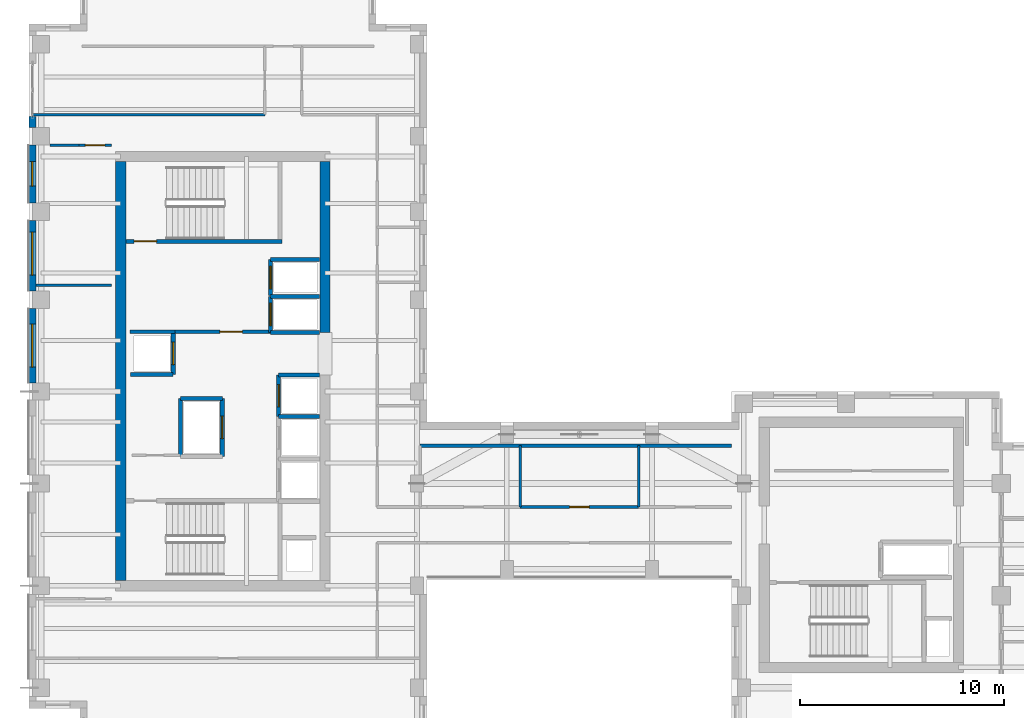
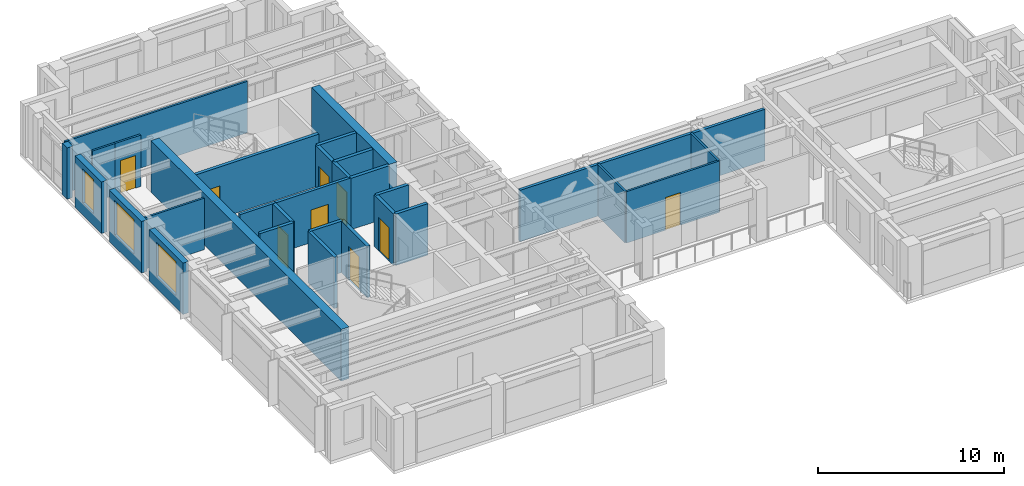
# One storey, part 7 of 13: 30 walls, 9 doors, 3 windows, 12 openings.
"""IFC4 building model written with IfcOpenShell, lengths in metres."""

import ifcopenshell
import ifcopenshell.guid

model = None  # the IFC model being written
_history = None  # IfcOwnerHistory: only IFC2X3 demands one
_inside = {}  # id of a spatial element -> (the spatial element, [elements in it])
_under = {}  # id of a project, library or spatial element -> (it, [spatial elements below it])
_declared = {}  # id of a project -> (the project, [libraries it declares])
_typed = {}  # id of a type object -> (the type object, [elements of that type])
_made_of = {}  # id of a material, layer set ... -> (it, [elements and type objects made of it])


def new_model(schema):
    """Start an empty IFC model of exactly this schema.

    Asked for "IFC4X3", IfcOpenShell would pick the latest addendum, in which some entities
    have other attributes; the version numbers below select the first issue.
    IFC2X3 requires an IfcOwnerHistory on every rooted entity: one is made here for all.
    """
    global model, _history
    if schema == "IFC4X3":
        model = ifcopenshell.file(schema_version=(4, 3, 0, 0))
    else:
        model = ifcopenshell.file(schema=schema)
    _inside.clear()
    _under.clear()
    _declared.clear()
    _typed.clear()
    _made_of.clear()
    _history = None
    if model.schema == "IFC2X3":
        org = make("IfcOrganization", Name="unknown")
        user = make(
            "IfcPersonAndOrganization",
            ThePerson=make("IfcPerson", FamilyName="unknown"),
            TheOrganization=org,
        )
        app = make(
            "IfcApplication",
            ApplicationDeveloper=org,
            Version="unknown",
            ApplicationFullName="unknown",
            ApplicationIdentifier="unknown",
        )
        _history = make(
            "IfcOwnerHistory",
            OwningUser=user,
            OwningApplication=app,
            ChangeAction="ADDED",
            CreationDate=0,
        )
    return model


def make(cls, **values):
    """One entity of the class cls with the attributes given. An attribute that is None is left unset."""
    return model.create_entity(
        cls, **{name: value for name, value in values.items() if value is not None}
    )


def rooted(cls, **values):
    """An entity with a GlobalId (a new one), such as an element, a storey or a relation."""
    return make(cls, GlobalId=ifcopenshell.guid.new(), OwnerHistory=_history, **values)


def si_unit(unit_type, name, prefix=None):
    """IfcSIUnit, for example si_unit("LENGTHUNIT", "METRE", prefix="MILLI")."""
    return make("IfcSIUnit", UnitType=unit_type, Prefix=prefix, Name=name)


def assignment(units):
    """IfcUnitAssignment: the units of a project."""
    return None if units is None else make("IfcUnitAssignment", Units=units)


def point(xyz):
    """IfcCartesianPoint."""
    return None if xyz is None else make("IfcCartesianPoint", Coordinates=xyz)


def direction(xyz):
    """IfcDirection."""
    return None if xyz is None else make("IfcDirection", DirectionRatios=xyz)


def frame(location, z_axis=None, x_axis=None):
    """IfcAxis2Placement3D, a coordinate frame: its origin and axes. An axis left out is left unset."""
    return make(
        "IfcAxis2Placement3D",
        Location=point(location),
        Axis=direction(z_axis),
        RefDirection=direction(x_axis),
    )


def frame_2d(location, x_axis=None):
    """IfcAxis2Placement2D, a coordinate frame in the plane: its origin and x axis."""
    return make(
        "IfcAxis2Placement2D", Location=point(location), RefDirection=direction(x_axis)
    )


def origin():
    """The frame at (0, 0, 0) with its axes left unset."""
    return frame((0.0, 0.0, 0.0))


def place(relative_to, where):
    """IfcLocalPlacement: puts the frame where relative to a parent placement (None: the world)."""
    return make(
        "IfcLocalPlacement", PlacementRelTo=relative_to, RelativePlacement=where
    )


def context(
    kind, dimensions, precision=None, world=None, true_north=None, identifier=None
):
    """IfcGeometricRepresentationContext, for example the 3D "Model" context."""
    return make(
        "IfcGeometricRepresentationContext",
        ContextIdentifier=identifier,
        ContextType=kind,
        CoordinateSpaceDimension=dimensions,
        Precision=precision,
        WorldCoordinateSystem=world,
        TrueNorth=true_north,
    )


def subcontext(parent, identifier, kind, view, scale=None):
    """IfcGeometricRepresentationSubContext, for example "Body" below "Model"."""
    return make(
        "IfcGeometricRepresentationSubContext",
        ContextIdentifier=identifier,
        ContextType=kind,
        ParentContext=parent,
        TargetScale=scale,
        TargetView=view,
    )


def project(units=None, contexts=None):
    """IfcProject with its units and contexts."""
    return rooted(
        "IfcProject",
        Name="project",
        RepresentationContexts=contexts,
        UnitsInContext=assignment(units),
    )


def spatial(cls, under=None, at=None, **own):
    """A site, building, storey or space (cls), placed at a placement, below another one or the project."""
    s = rooted(cls, ObjectPlacement=at, **own)
    if under is not None:
        _under.setdefault(under.id(), (under, []))[1].append(s)
    return s


def profile(cls, at=None, kind="AREA", **sizes):
    """A parametric profile (cls). Its sizes go by their IFC names, for example OverallWidth=200.0."""
    return make(cls, ProfileType=kind, Position=at, **sizes)


def rectangle(**sizes):
    """IfcRectangleProfileDef."""
    return profile("IfcRectangleProfileDef", **sizes)


def extrude(swept, where, along, depth):
    """IfcExtrudedAreaSolid: the profile swept, set in the frame where, extruded along a direction by depth."""
    return make(
        "IfcExtrudedAreaSolid",
        SweptArea=swept,
        Position=where,
        ExtrudedDirection=direction(along),
        Depth=depth,
    )


def shape(context_of_items, identifier, shape_type, items):
    """IfcShapeRepresentation: the items that make up one representation, for example the "Body"."""
    return make(
        "IfcShapeRepresentation",
        ContextOfItems=context_of_items,
        RepresentationIdentifier=identifier,
        RepresentationType=shape_type,
        Items=items,
    )


def source(mapping_origin, context_of_items, identifier, shape_type, items):
    """IfcRepresentationMap: a shape defined once, which mapped items show again and again."""
    return make(
        "IfcRepresentationMap",
        MappingOrigin=mapping_origin,
        MappedRepresentation=shape(context_of_items, identifier, shape_type, items),
    )


def transform(
    local_origin,
    x_axis=None,
    y_axis=None,
    z_axis=None,
    scale=None,
    scale2=None,
    scale3=None,
    uniform=True,
):
    """IfcCartesianTransformationOperator3D, or its non-uniform kind. x_axis, y_axis, z_axis: its Axis1, 2, 3."""
    if uniform:
        return make(
            "IfcCartesianTransformationOperator3D",
            Axis1=direction(x_axis),
            Axis2=direction(y_axis),
            LocalOrigin=point(local_origin),
            Scale=scale,
            Axis3=direction(z_axis),
        )
    return make(
        "IfcCartesianTransformationOperator3DnonUniform",
        Axis1=direction(x_axis),
        Axis2=direction(y_axis),
        LocalOrigin=point(local_origin),
        Scale=scale,
        Axis3=direction(z_axis),
        Scale2=scale2,
        Scale3=scale3,
    )


def mapped(mapping_source, mapping_target):
    """IfcMappedItem: shows the shape of a source again, moved by a transform."""
    return make(
        "IfcMappedItem", MappingSource=mapping_source, MappingTarget=mapping_target
    )


def material(Name=None, Category=None):
    """IfcMaterial."""
    return make("IfcMaterial", Name=Name, Category=Category)


def layer(
    of_material, thickness, ventilated=None, Name=None, Category=None, Priority=None
):
    """IfcMaterialLayer: one layer of a wall or slab, of a material (None: an air gap)."""
    return make(
        "IfcMaterialLayer",
        Material=of_material,
        LayerThickness=thickness,
        IsVentilated=ventilated,
        Name=Name,
        Category=Category,
        Priority=Priority,
    )


def layer_set(layers, Name=None):
    """IfcMaterialLayerSet."""
    return make("IfcMaterialLayerSet", MaterialLayers=layers, LayerSetName=Name)


def made_of(thing, what):
    """Note that an element or type object is made of a material, layer set ...; save() writes the relation."""
    if what is not None:
        _made_of.setdefault(what.id(), (what, []))[1].append(thing)
    return thing


def type_object(cls, material=None, **own):
    """A type object (cls), such as IfcWallType, which elements share."""
    return made_of(rooted(cls, **own), material)


def element(
    cls,
    number,
    at=None,
    inside=None,
    cuts=None,
    type_object=None,
    material=None,
    context=None,
    identifier="Body",
    shape_type=None,
    held_by="IfcProductDefinitionShape",
    body=None,
    shapes=None,
    **own,
):
    """One element of the class cls, such as IfcWall. Its Tag is "e" and its number.

    at: its placement. inside: the storey or other place that contains it. cuts: it is an
    opening in that element (IfcRelVoidsElement). A single representation is given by context,
    identifier, shape_type and body (its items); several are given by shapes. held_by: the class
    of the entity that holds the representations. save() writes the other relations.
    """
    e = rooted(cls, Tag="e%d" % number, ObjectPlacement=at, **own)
    if body is not None:
        shapes = [shape(context, identifier, shape_type, body)]
    if shapes is not None:
        e.Representation = make(held_by, Representations=shapes)
    if inside is not None:
        _inside.setdefault(inside.id(), (inside, []))[1].append(e)
    if cuts is not None:
        rooted(
            "IfcRelVoidsElement", RelatingBuildingElement=cuts, RelatedOpeningElement=e
        )
    if type_object is not None:
        _typed.setdefault(type_object.id(), (type_object, []))[1].append(e)
    return made_of(e, material)


def fill(opening, filler):
    """IfcRelFillsElement: the door or window that sits in an opening."""
    return rooted(
        "IfcRelFillsElement",
        RelatingOpeningElement=opening,
        RelatedBuildingElement=filler,
    )


def aggregate(whole, parts):
    """IfcRelAggregates: a whole, such as a stair, and the parts it consists of."""
    return rooted("IfcRelAggregates", RelatingObject=whole, RelatedObjects=parts)


def save(model, path):
    """Write the relations noted so far, then the file.

    IfcRelAggregates (storeys below a building ...), IfcRelContainedInSpatialStructure (elements
    in a storey), IfcRelDefinesByType, IfcRelAssociatesMaterial and IfcRelDeclares: one each for
    every whole, place, type object, material and project.
    """
    for whole, parts in _under.values():
        aggregate(whole, parts)
    for where, things in _inside.values():
        rooted(
            "IfcRelContainedInSpatialStructure",
            RelatedElements=things,
            RelatingStructure=where,
        )
    for kind, things in _typed.values():
        rooted("IfcRelDefinesByType", RelatedObjects=things, RelatingType=kind)
    for what, things in _made_of.values():
        rooted("IfcRelAssociatesMaterial", RelatedObjects=things, RelatingMaterial=what)
    for by, libraries in _declared.values():
        rooted("IfcRelDeclares", RelatingContext=by, RelatedDefinitions=libraries)
    model.write(path)


model = new_model("IFC4")

# Units and contexts
model_context = context("Model", 3, precision=1e-05, world=origin(), true_north=direction((0.0, 1.0)))
body_context = subcontext(model_context, "Body", "Model", "MODEL_VIEW")
ifc_project = project(units=[si_unit("LENGTHUNIT", "METRE"), si_unit("AREAUNIT", "SQUARE_METRE"), si_unit("VOLUMEUNIT", "CUBIC_METRE"), si_unit("PLANEANGLEUNIT", "RADIAN"), si_unit("MASSUNIT", "GRAM", prefix="KILO")], contexts=[model_context])

# Site, building, storey
site_placement = place(None, origin())
site = spatial("IfcSite", under=ifc_project, at=site_placement, CompositionType="ELEMENT")
building_placement = place(site_placement, origin())
building = spatial("IfcBuilding", under=site, at=building_placement, Name="Kharzan Plaza Tower", CompositionType="ELEMENT")
storey_placement = place(building_placement, frame((0.0, 0.0, 244.800048828125)))
storey = spatial("IfcBuildingStorey", under=building, at=storey_placement, Name="L66", CompositionType="ELEMENT", Elevation=244.800048828125)

# Wall, opening, window
ifc_material_1 = material(Name="Concrete C40/50", Category="concrete")
ifc_layer_1 = layer(ifc_material_1, 0.35009765625)
ifc_layer_set_1 = layer_set([ifc_layer_1], Name="Concrete C40/50")
wall_type_1 = type_object("IfcWallType", Name="WL-EXT-MAS-Z4", PredefinedType="SOLIDWALL", material=ifc_layer_set_1)
wall_1_placement = place(storey_placement, frame((0.175048828125, 30.076904296875, 0.0), z_axis=(0.0, 0.0, 1.0), x_axis=(0.0, -1.0, 0.0)))
wall_1 = element("IfcWall", 1, at=wall_1_placement, inside=storey, type_object=wall_type_1, Name="L66 Masonry-Frame Exterior Wall 18", PredefinedType="SOLIDWALL", context=body_context, shape_type="SweptSolid", body=[
    extrude(rectangle(XDim=2.85400390625, YDim=0.35009765625, at=frame_2d((1.427001953125, 0.0))), origin(), (0.0, 0.0, 1.0), 3.385009765625),
])
opening_1_placement = place(wall_1_placement, frame((0.826904296875, 0.0, 0.780029296875)))
opening_1 = element("IfcOpeningElement", 2, at=opening_1_placement, cuts=wall_1, Name="Opening W3", PredefinedType="OPENING", context=body_context, shape_type="SweptSolid", body=[
    extrude(rectangle(XDim=1.199951171875, YDim=2.25, at=frame_2d((0.60009765625, 1.125))), frame((0.0, 0.18505859375, 0.0), z_axis=(0.0, -1.0, 0.0), x_axis=(1.0, 0.0, 0.0)), (0.0, 0.0, 1.0), 0.3701171875),
])
ifc_material_2 = material(Name="Low-E Double Glazing", Category="glass")
window_type_1 = type_object("IfcWindowType", Name="WN-REC-1200x2100", PartitioningType="SINGLE_PANEL", PredefinedType="WINDOW", material=ifc_material_2)
shared_shape_1 = source(origin(), body_context, "Body", "SweptSolid", [
    extrude(rectangle(XDim=1.199951171875, YDim=2.25, at=frame_2d((0.60009765625, 1.125))), frame((0.0, 0.030029296875, 0.0), z_axis=(0.0, -1.0, 0.0), x_axis=(1.0, 0.0, 0.0)), (0.0, 0.0, 1.0), 0.06005859375),
])
window_1_placement = place(opening_1_placement, origin())
window_1 = element("IfcWindow", 3, at=window_1_placement, inside=storey, type_object=window_type_1, Name="L66 Recessed Solar-Control Window 18-1", OverallHeight=2.25, OverallWidth=1.199951171875, PartitioningType="SINGLE_PANEL", PredefinedType="WINDOW", context=body_context, shape_type="MappedRepresentation", body=[
    mapped(shared_shape_1, transform((0.0, 0.0, 0.0), x_axis=(1.0, 0.0, 0.0), y_axis=(0.0, 1.0, 0.0), z_axis=(0.0, 0.0, 1.0))),
])
fill(opening_1, window_1)

wall_2_placement = place(storey_placement, frame((0.175048828125, 26.376953125, 0.0), z_axis=(0.0, 0.0, 1.0), x_axis=(0.0, -1.0, 0.0)))
wall_2 = element("IfcWall", 4, at=wall_2_placement, inside=storey, type_object=wall_type_1, Name="L66 Masonry-Frame Exterior Wall 19", PredefinedType="SOLIDWALL", context=body_context, shape_type="SweptSolid", body=[
    extrude(rectangle(XDim=3.453857421875, YDim=0.35009765625, at=frame_2d((1.72705078125, 0.0))), origin(), (0.0, 0.0, 1.0), 3.385009765625),
])
opening_2_placement = place(wall_2_placement, frame((0.573486328125, 0.0, 0.780029296875)))
opening_2 = element("IfcOpeningElement", 5, at=opening_2_placement, cuts=wall_2, Name="Opening W6", PredefinedType="OPENING", context=body_context, shape_type="SweptSolid", body=[
    extrude(rectangle(XDim=2.10009765625, YDim=2.25, at=frame_2d((1.050048828125, 1.125))), frame((0.0, 0.18505859375, 0.0), z_axis=(0.0, -1.0, 0.0), x_axis=(1.0, 0.0, 0.0)), (0.0, 0.0, 1.0), 0.3701171875),
])
window_type_2 = type_object("IfcWindowType", Name="WN-EXEC-2100x2250", PartitioningType="SINGLE_PANEL", PredefinedType="WINDOW", material=ifc_material_2)
shared_shape_2 = source(origin(), body_context, "Body", "SweptSolid", [
    extrude(rectangle(XDim=2.10009765625, YDim=2.25, at=frame_2d((1.050048828125, 1.125))), frame((0.0, 0.030029296875, 0.0), z_axis=(0.0, -1.0, 0.0), x_axis=(1.0, 0.0, 0.0)), (0.0, 0.0, 1.0), 0.06005859375),
])
window_2_placement = place(opening_2_placement, origin())
window_2 = element("IfcWindow", 6, at=window_2_placement, inside=storey, type_object=window_type_2, Name="L66 Recessed Solar-Control Window 19-1", OverallHeight=2.25, OverallWidth=2.10009765625, PartitioningType="SINGLE_PANEL", PredefinedType="WINDOW", context=body_context, shape_type="MappedRepresentation", body=[
    mapped(shared_shape_2, transform((0.0, 0.0, 0.0), x_axis=(1.0, 0.0, 0.0), y_axis=(0.0, 1.0, 0.0), z_axis=(0.0, 0.0, 1.0))),
])
fill(opening_2, window_2)

wall_3_placement = place(storey_placement, frame((0.175048828125, 22.076904296875, 0.0), z_axis=(0.0, 0.0, 1.0), x_axis=(0.0, -1.0, 0.0)))
wall_3 = element("IfcWall", 7, at=wall_3_placement, inside=storey, type_object=wall_type_1, Name="L66 Masonry-Frame Exterior Wall 20", PredefinedType="SOLIDWALL", context=body_context, shape_type="SweptSolid", body=[
    extrude(rectangle(XDim=3.65380859375, YDim=0.35009765625, at=frame_2d((1.826904296875, 0.0))), origin(), (0.0, 0.0, 1.0), 3.385009765625),
])
opening_3_placement = place(wall_3_placement, frame((0.777099609375, 0.0, 0.780029296875)))
opening_3 = element("IfcOpeningElement", 8, at=opening_3_placement, cuts=wall_3, Name="Opening W6", PredefinedType="OPENING", context=body_context, shape_type="SweptSolid", body=[
    extrude(rectangle(XDim=2.10009765625, YDim=2.25, at=frame_2d((1.050048828125, 1.125))), frame((0.0, 0.18505859375, 0.0), z_axis=(0.0, -1.0, 0.0), x_axis=(1.0, 0.0, 0.0)), (0.0, 0.0, 1.0), 0.3701171875),
])
window_3_placement = place(opening_3_placement, origin())
window_3 = element("IfcWindow", 9, at=window_3_placement, inside=storey, type_object=window_type_2, Name="L66 Recessed Solar-Control Window 20-1", OverallHeight=2.25, OverallWidth=2.10009765625, PartitioningType="SINGLE_PANEL", PredefinedType="WINDOW", context=body_context, shape_type="MappedRepresentation", body=[
    mapped(shared_shape_2, transform((0.0, 0.0, 0.0), x_axis=(1.0, 0.0, 0.0), y_axis=(0.0, 1.0, 0.0), z_axis=(0.0, 0.0, 1.0))),
])
fill(opening_3, window_3)

# Wall, opening, door
ifc_layer_2 = layer(ifc_material_1, 0.179931640625)
ifc_layer_set_2 = layer_set([ifc_layer_2], Name="Concrete C40/50")
wall_type_2 = type_object("IfcWallType", Name="WL-INT-FIRE-180", PredefinedType="PARTITIONING", material=ifc_layer_set_2)
wall_4_placement = place(storey_placement, frame((7.14990234375, 20.919921875, 0.0), z_axis=(0.0, 0.0, 1.0), x_axis=(1.0, 0.0, 0.0)))
wall_4 = element("IfcWall", 10, at=wall_4_placement, inside=storey, type_object=wall_type_2, Name="L66 Interior Partition CA-FF-S", PredefinedType="PARTITIONING", context=body_context, shape_type="SweptSolid", body=[
    extrude(rectangle(XDim=4.68017578125, YDim=0.179931640625, at=frame_2d((2.340087890625, 0.0))), origin(), (0.0, 0.0, 1.0), 3.385009765625),
])
opening_4_placement = place(wall_4_placement, frame((2.199951171875, 0.0, 0.0)))
opening_4 = element("IfcOpeningElement", 11, at=opening_4_placement, cuts=wall_4, Name="Opening FD1", PredefinedType="OPENING", context=body_context, shape_type="SweptSolid", body=[
    extrude(rectangle(XDim=1.10009765625, YDim=2.14990234375, at=frame_2d((0.550048828125, 1.074951171875))), frame((0.0, 0.099853515625, 0.0), z_axis=(0.0, -1.0, 0.0), x_axis=(1.0, 0.0, 0.0)), (0.0, 0.0, 1.0), 0.199951171875),
])
ifc_material_3 = material(Name="Fire-Rated Acoustic Vision-Panel Steel", Category="steel")
door_type_1 = type_object("IfcDoorType", Name="DR-FIRE-LOBBY", OperationType="NOTDEFINED", PredefinedType="DOOR", material=ifc_material_3)
shared_shape_3 = source(origin(), body_context, "Body", "SweptSolid", [
    extrude(rectangle(XDim=1.10009765625, YDim=2.14990234375, at=frame_2d((0.550048828125, 1.074951171875))), frame((0.0, 0.02490234375, 0.0), z_axis=(0.0, -1.0, 0.0), x_axis=(1.0, 0.0, 0.0)), (0.0, 0.0, 1.0), 0.050048828125),
])
door_1_placement = place(opening_4_placement, origin())
door_1 = element("IfcDoor", 12, at=door_1_placement, inside=storey, type_object=door_type_1, Name="L66 Firefighting Lobby Door", OperationType="SINGLE_SWING_RIGHT", OverallHeight=2.14990234375, OverallWidth=1.10009765625, PredefinedType="DOOR", context=body_context, shape_type="MappedRepresentation", body=[
    mapped(shared_shape_3, transform((0.0, 0.0, 0.0), x_axis=(1.0, 0.0, 0.0), y_axis=(0.0, 1.0, 0.0), z_axis=(0.0, 0.0, 1.0))),
])
fill(opening_4, door_1)

ifc_material_4 = material(Name="Fire-Rated Gypsum Board Partition", Category="gypsum")
ifc_layer_3 = layer(ifc_material_4, 0.125)
ifc_layer_set_3 = layer_set([ifc_layer_3], Name="Fire-Rated Gypsum Board Partition")
wall_type_3 = type_object("IfcWallType", Name="WL-INT-PART-125", PredefinedType="PARTITIONING", material=ifc_layer_set_3)
wall_5_placement = place(storey_placement, frame((2.449951171875, 30.050048828125, 0.0), z_axis=(0.0, 0.0, 1.0), x_axis=(1.0, 0.0, 0.0)))
wall_5 = element("IfcWall", 13, at=wall_5_placement, inside=storey, type_object=wall_type_3, Name="L66 Interior Partition SH-RWND", PredefinedType="PARTITIONING", context=body_context, shape_type="SweptSolid", body=[
    extrude(rectangle(XDim=1.60009765625, YDim=0.125, at=frame_2d((0.800048828125, 0.0))), origin(), (0.0, 0.0, 1.0), 3.385009765625),
])
opening_5_placement = place(wall_5_placement, frame((0.324951171875, 0.0, 0.0)))
opening_5 = element("IfcOpeningElement", 14, at=opening_5_placement, cuts=wall_5, Name="Opening OD1", PredefinedType="OPENING", context=body_context, shape_type="SweptSolid", body=[
    extrude(rectangle(XDim=0.949951171875, YDim=2.14990234375, at=frame_2d((0.47509765625, 1.074951171875))), frame((0.0, 0.072509765625, 0.0), z_axis=(0.0, -1.0, 0.0), x_axis=(1.0, 0.0, 0.0)), (0.0, 0.0, 1.0), 0.14501953125),
])
ifc_material_5 = material(Name="Acoustic Solid-Core Stained Oak", Category="timber")
door_type_2 = type_object("IfcDoorType", Name="DR-OFF-SINGLE", OperationType="NOTDEFINED", PredefinedType="DOOR", material=ifc_material_5)
shared_shape_4 = source(origin(), body_context, "Body", "SweptSolid", [
    extrude(rectangle(XDim=0.949951171875, YDim=2.14990234375, at=frame_2d((0.47509765625, 1.074951171875))), frame((0.0, 0.02490234375, 0.0), z_axis=(0.0, -1.0, 0.0), x_axis=(1.0, 0.0, 0.0)), (0.0, 0.0, 1.0), 0.050048828125),
])
door_2_placement = place(opening_5_placement, origin())
door_2 = element("IfcDoor", 15, at=door_2_placement, inside=storey, type_object=door_type_2, Name="L66 West Office 2 Door", OperationType="SINGLE_SWING_LEFT", OverallHeight=2.14990234375, OverallWidth=0.949951171875, PredefinedType="DOOR", context=body_context, shape_type="MappedRepresentation", body=[
    mapped(shared_shape_4, transform((0.0, 0.0, 0.0), x_axis=(1.0, 0.0, 0.0), y_axis=(0.0, 1.0, 0.0), z_axis=(0.0, 0.0, 1.0))),
])
fill(opening_5, door_2)

wall_6_placement = place(storey_placement, frame((24.050048828125, 12.35009765625, 0.0), z_axis=(0.0, 0.0, 1.0), x_axis=(1.0, 0.0, 0.0)))
wall_6 = element("IfcWall", 16, at=wall_6_placement, inside=storey, type_object=wall_type_3, Name="L66 Interior Partition SH-SPNM", PredefinedType="PARTITIONING", context=body_context, shape_type="SweptSolid", body=[
    extrude(rectangle(XDim=5.800048828125, YDim=0.125, at=frame_2d((2.89990234375, 0.0))), origin(), (0.0, 0.0, 1.0), 3.385009765625),
])
opening_6_placement = place(wall_6_placement, frame((2.425048828125, 0.0, 0.0)))
opening_6 = element("IfcOpeningElement", 17, at=opening_6_placement, cuts=wall_6, Name="Opening OD1", PredefinedType="OPENING", context=body_context, shape_type="SweptSolid", body=[
    extrude(rectangle(XDim=0.949951171875, YDim=2.14990234375, at=frame_2d((0.47509765625, 1.074951171875))), frame((0.0, 0.072509765625, 0.0), z_axis=(0.0, -1.0, 0.0), x_axis=(1.0, 0.0, 0.0)), (0.0, 0.0, 1.0), 0.14501953125),
])
door_3_placement = place(opening_6_placement, origin())
door_3 = element("IfcDoor", 18, at=door_3_placement, inside=storey, type_object=door_type_2, Name="L66 Reclaimed Spine Door", OperationType="SINGLE_SWING_RIGHT", OverallHeight=2.14990234375, OverallWidth=0.949951171875, PredefinedType="DOOR", context=body_context, shape_type="MappedRepresentation", body=[
    mapped(shared_shape_4, transform((0.0, 0.0, 0.0), x_axis=(1.0, 0.0, 0.0), y_axis=(0.0, 1.0, 0.0), z_axis=(0.0, 0.0, 1.0))),
])
fill(opening_6, door_3)

ifc_layer_4 = layer(ifc_material_1, 0.199951171875)
ifc_layer_set_4 = layer_set([ifc_layer_4], Name="Concrete C40/50")
wall_type_4 = type_object("IfcWallType", Name="WL-INT-SHAFT-200", PredefinedType="PARTITIONING", material=ifc_layer_set_4)
wall_7_placement = place(storey_placement, frame((11.830078125, 20.89990234375, 0.0), z_axis=(0.0, 0.0, 1.0), x_axis=(0.0, 1.0, 0.0)))
wall_7 = element("IfcWall", 19, at=wall_7_placement, inside=storey, type_object=wall_type_4, Name="L66 Interior Partition SHF-FFL-1-W", PredefinedType="PARTITIONING", context=body_context, shape_type="SweptSolid", body=[
    extrude(rectangle(XDim=1.760009765625, YDim=0.199951171875, at=frame_2d((0.8798828125, 0.0))), origin(), (0.0, 0.0, 1.0), 3.385009765625),
])
opening_7_placement = place(wall_7_placement, frame((0.330078125, 0.0, 0.0)))
opening_7 = element("IfcOpeningElement", 20, at=opening_7_placement, cuts=wall_7, Name="Opening LD", PredefinedType="OPENING", context=body_context, shape_type="SweptSolid", body=[
    extrude(rectangle(XDim=1.10009765625, YDim=2.199951171875, at=frame_2d((0.550048828125, 1.10009765625))), frame((0.0, 0.10986328125, 0.0), z_axis=(0.0, -1.0, 0.0), x_axis=(1.0, 0.0, 0.0)), (0.0, 0.0, 1.0), 0.219970703125),
])
ifc_material_6 = material(Name="Brushed Stainless Steel", Category="steel")
door_type_3 = type_object("IfcDoorType", Name="DR-LIFT-SLIDE", OperationType="SLIDING_TO_LEFT", PredefinedType="DOOR", material=ifc_material_6)
shared_shape_5 = source(origin(), body_context, "Body", "SweptSolid", [
    extrude(rectangle(XDim=1.10009765625, YDim=2.199951171875, at=frame_2d((0.550048828125, 1.10009765625))), frame((0.0, 0.02490234375, 0.0), z_axis=(0.0, -1.0, 0.0), x_axis=(1.0, 0.0, 0.0)), (0.0, 0.0, 1.0), 0.050048828125),
])
door_4_placement = place(opening_7_placement, origin())
door_4 = element("IfcDoor", 21, at=door_4_placement, inside=storey, type_object=door_type_3, Name="L66 Firefighting Lift FFL-1 Sliding Landing Door", OperationType="SLIDING_TO_LEFT", OverallHeight=2.199951171875, OverallWidth=1.10009765625, PredefinedType="DOOR", context=body_context, shape_type="MappedRepresentation", body=[
    mapped(shared_shape_5, transform((0.0, 0.0, 0.0), x_axis=(1.0, 0.0, 0.0), y_axis=(0.0, 1.0, 0.0), z_axis=(0.0, 0.0, 1.0))),
])
fill(opening_7, door_4)

wall_8_placement = place(storey_placement, frame((11.830078125, 22.699951171875, 0.0), z_axis=(0.0, 0.0, 1.0), x_axis=(0.0, 1.0, 0.0)))
wall_8 = element("IfcWall", 22, at=wall_8_placement, inside=storey, type_object=wall_type_4, Name="L66 Interior Partition SHF-FFL-2-W", PredefinedType="PARTITIONING", context=body_context, shape_type="SweptSolid", body=[
    extrude(rectangle(XDim=1.760009765625, YDim=0.199951171875, at=frame_2d((0.8798828125, 0.0))), origin(), (0.0, 0.0, 1.0), 3.385009765625),
])
opening_8_placement = place(wall_8_placement, frame((0.330078125, 0.0, 0.0)))
opening_8 = element("IfcOpeningElement", 23, at=opening_8_placement, cuts=wall_8, Name="Opening LD", PredefinedType="OPENING", context=body_context, shape_type="SweptSolid", body=[
    extrude(rectangle(XDim=1.10009765625, YDim=2.199951171875, at=frame_2d((0.550048828125, 1.10009765625))), frame((0.0, 0.10986328125, 0.0), z_axis=(0.0, -1.0, 0.0), x_axis=(1.0, 0.0, 0.0)), (0.0, 0.0, 1.0), 0.219970703125),
])
door_5_placement = place(opening_8_placement, origin())
door_5 = element("IfcDoor", 24, at=door_5_placement, inside=storey, type_object=door_type_3, Name="L66 Firefighting Lift FFL-2 Sliding Landing Door", OperationType="SLIDING_TO_LEFT", OverallHeight=2.199951171875, OverallWidth=1.10009765625, PredefinedType="DOOR", context=body_context, shape_type="MappedRepresentation", body=[
    mapped(shared_shape_5, transform((0.0, 0.0, 0.0), x_axis=(1.0, 0.0, 0.0), y_axis=(0.0, 1.0, 0.0), z_axis=(0.0, 0.0, 1.0))),
])
fill(opening_8, door_5)

wall_9_placement = place(storey_placement, frame((12.22998046875, 16.77001953125, 0.0), z_axis=(0.0, 0.0, 1.0), x_axis=(0.0, 1.0, 0.0)))
wall_9 = element("IfcWall", 25, at=wall_9_placement, inside=storey, type_object=wall_type_4, Name="L66 Interior Partition SHF-PL-H3-W", PredefinedType="PARTITIONING", context=body_context, shape_type="SweptSolid", body=[
    extrude(rectangle(XDim=2.050048828125, YDim=0.199951171875, at=frame_2d((1.02490234375, 0.0))), origin(), (0.0, 0.0, 1.0), 3.385009765625),
])
opening_9_placement = place(wall_9_placement, frame((0.47509765625, 0.0, 0.0)))
opening_9 = element("IfcOpeningElement", 26, at=opening_9_placement, cuts=wall_9, Name="Opening LD", PredefinedType="OPENING", context=body_context, shape_type="SweptSolid", body=[
    extrude(rectangle(XDim=1.10009765625, YDim=2.199951171875, at=frame_2d((0.550048828125, 1.10009765625))), frame((0.0, 0.10986328125, 0.0), z_axis=(0.0, -1.0, 0.0), x_axis=(1.0, 0.0, 0.0)), (0.0, 0.0, 1.0), 0.219970703125),
])
door_6_placement = place(opening_9_placement, origin())
door_6 = element("IfcDoor", 27, at=door_6_placement, inside=storey, type_object=door_type_3, Name="L66 High-Rise Passenger Lift PL-H3 Sliding Landing Door", OperationType="SLIDING_TO_LEFT", OverallHeight=2.199951171875, OverallWidth=1.10009765625, PredefinedType="DOOR", context=body_context, shape_type="MappedRepresentation", body=[
    mapped(shared_shape_5, transform((0.0, 0.0, 0.0), x_axis=(1.0, 0.0, 0.0), y_axis=(0.0, 1.0, 0.0), z_axis=(0.0, 0.0, 1.0))),
])
fill(opening_9, door_6)

wall_10_placement = place(storey_placement, frame((7.070068359375, 18.840087890625, 0.0), z_axis=(0.0, 0.0, 1.0), x_axis=(0.0, 1.0, 0.0)))
wall_10 = element("IfcWall", 28, at=wall_10_placement, inside=storey, type_object=wall_type_4, Name="L66 Interior Partition SHF-PL-H4-E", PredefinedType="PARTITIONING", context=body_context, shape_type="SweptSolid", body=[
    extrude(rectangle(XDim=2.059814453125, YDim=0.199951171875, at=frame_2d((1.02978515625, 0.0))), origin(), (0.0, 0.0, 1.0), 3.385009765625),
])
opening_10_placement = place(wall_10_placement, frame((0.47998046875, 0.0, 0.0)))
opening_10 = element("IfcOpeningElement", 29, at=opening_10_placement, cuts=wall_10, Name="Opening LD", PredefinedType="OPENING", context=body_context, shape_type="SweptSolid", body=[
    extrude(rectangle(XDim=1.10009765625, YDim=2.199951171875, at=frame_2d((0.550048828125, 1.10009765625))), frame((0.0, 0.10986328125, 0.0), z_axis=(0.0, -1.0, 0.0), x_axis=(1.0, 0.0, 0.0)), (0.0, 0.0, 1.0), 0.219970703125),
])
door_7_placement = place(opening_10_placement, origin())
door_7 = element("IfcDoor", 30, at=door_7_placement, inside=storey, type_object=door_type_3, Name="L66 High-Rise Passenger Lift PL-H4 Sliding Landing Door", OperationType="SLIDING_TO_LEFT", OverallHeight=2.199951171875, OverallWidth=1.10009765625, PredefinedType="DOOR", context=body_context, shape_type="MappedRepresentation", body=[
    mapped(shared_shape_5, transform((0.0, 0.0, 0.0), x_axis=(1.0, 0.0, 0.0), y_axis=(0.0, 1.0, 0.0), z_axis=(0.0, 0.0, 1.0))),
])
fill(opening_10, door_7)

wall_11_placement = place(storey_placement, frame((9.469970703125, 14.830078125, 0.0), z_axis=(0.0, 0.0, 1.0), x_axis=(0.0, 1.0, 0.0)))
wall_11 = element("IfcWall", 31, at=wall_11_placement, inside=storey, type_object=wall_type_4, Name="L66 Interior Partition SHF-SVL-1-E", PredefinedType="PARTITIONING", context=body_context, shape_type="SweptSolid", body=[
    extrude(rectangle(XDim=2.83984375, YDim=0.199951171875, at=frame_2d((1.419921875, 0.0))), origin(), (0.0, 0.0, 1.0), 3.385009765625),
])
opening_11_placement = place(wall_11_placement, frame((0.8701171875, 0.0, 0.0)))
opening_11 = element("IfcOpeningElement", 32, at=opening_11_placement, cuts=wall_11, Name="Opening LD", PredefinedType="OPENING", context=body_context, shape_type="SweptSolid", body=[
    extrude(rectangle(XDim=1.10009765625, YDim=2.199951171875, at=frame_2d((0.550048828125, 1.10009765625))), frame((0.0, 0.10986328125, 0.0), z_axis=(0.0, -1.0, 0.0), x_axis=(1.0, 0.0, 0.0)), (0.0, 0.0, 1.0), 0.219970703125),
])
door_8_placement = place(opening_11_placement, origin())
door_8 = element("IfcDoor", 33, at=door_8_placement, inside=storey, type_object=door_type_3, Name="L66 Service Lift SVL-1 Sliding Landing Door", OperationType="SLIDING_TO_LEFT", OverallHeight=2.199951171875, OverallWidth=1.10009765625, PredefinedType="DOOR", context=body_context, shape_type="MappedRepresentation", body=[
    mapped(shared_shape_5, transform((0.0, 0.0, 0.0), x_axis=(1.0, 0.0, 0.0), y_axis=(0.0, 1.0, 0.0), z_axis=(0.0, 0.0, 1.0))),
])
fill(opening_11, door_8)

ifc_material_7 = material(Name="Concrete C50/60", Category="concrete")
ifc_layer_5 = layer(ifc_material_7, 0.199951171875)
ifc_layer_set_5 = layer_set([ifc_layer_5], Name="Concrete C50/60")
wall_type_5 = type_object("IfcWallType", Name="WL-SHAFT-RC200", PredefinedType="SHEAR", material=ifc_layer_set_5)
wall_12_placement = place(storey_placement, frame((4.751953125, 25.344970703125, 0.0), z_axis=(0.0, 0.0, 1.0), x_axis=(1.0, 0.0, 0.0)))
wall_12 = element("IfcWall", 34, at=wall_12_placement, inside=storey, type_object=wall_type_5, Name="L66 Stair ST-2 South RC Shaft Wall", PredefinedType="SHEAR", context=body_context, shape_type="SweptSolid", body=[
    extrude(rectangle(XDim=7.653076171875, YDim=0.199951171875, at=frame_2d((3.82666015625, 0.0))), origin(), (0.0, 0.0, 1.0), 3.39990234375),
])
opening_12_placement = place(wall_12_placement, frame((0.39990234375, 0.0, 0.0)))
opening_12 = element("IfcOpeningElement", 35, at=opening_12_placement, cuts=wall_12, Name="Opening SD1", PredefinedType="OPENING", context=body_context, shape_type="SweptSolid", body=[
    extrude(rectangle(XDim=1.10009765625, YDim=2.14990234375, at=frame_2d((0.550048828125, 1.074951171875))), frame((0.0, 0.10986328125, 0.0), z_axis=(0.0, -1.0, 0.0), x_axis=(1.0, 0.0, 0.0)), (0.0, 0.0, 1.0), 0.219970703125),
])
ifc_material_8 = material(Name="Fire-Rated Hollow Galvanized Steel", Category="steel")
door_type_4 = type_object("IfcDoorType", Name="DR-STAIR-FD120", OperationType="NOTDEFINED", PredefinedType="DOOR", material=ifc_material_8)
shared_shape_6 = source(origin(), body_context, "Body", "SweptSolid", [
    extrude(rectangle(XDim=1.10009765625, YDim=2.14990234375, at=frame_2d((0.550048828125, 1.074951171875))), frame((0.0, 0.02490234375, 0.0), z_axis=(0.0, -1.0, 0.0), x_axis=(1.0, 0.0, 0.0)), (0.0, 0.0, 1.0), 0.050048828125),
])
door_9_placement = place(opening_12_placement, origin())
door_9 = element("IfcDoor", 36, at=door_9_placement, inside=storey, type_object=door_type_4, Name="L66 Stair ST-2 Fire Exit Door", OperationType="SINGLE_SWING_LEFT", OverallHeight=2.14990234375, OverallWidth=1.10009765625, PredefinedType="DOOR", context=body_context, shape_type="MappedRepresentation", body=[
    mapped(shared_shape_6, transform((0.0, 0.0, 0.0), x_axis=(1.0, 0.0, 0.0), y_axis=(0.0, 1.0, 0.0), z_axis=(0.0, 0.0, 1.0))),
])
fill(opening_12, door_9)

# Walls
shared_shape_7 = source(origin(), body_context, "Body", "SweptSolid", [
    extrude(rectangle(XDim=2.199951171875, YDim=0.179931640625, at=frame_2d((1.10009765625, 0.0))), origin(), (0.0, 0.0, 1.0), 3.385009765625),
])
wall_13_placement = place(storey_placement, frame((4.949951171875, 20.919921875, 0.0), z_axis=(0.0, 0.0, 1.0), x_axis=(1.0, 0.0, 0.0)))
element("IfcWall", 37, at=wall_13_placement, inside=storey, type_object=wall_type_2, Name="L66 Interior Partition CA-FF-SW", PredefinedType="PARTITIONING", context=body_context, shape_type="MappedRepresentation", body=[
    mapped(shared_shape_7, transform((0.0, 0.0, 0.0), x_axis=(1.0, 0.0, 0.0), y_axis=(0.0, 1.0, 0.0), z_axis=(0.0, 0.0, 1.0))),
])
shared_shape_8 = source(origin(), body_context, "Body", "SweptSolid", [
    extrude(rectangle(XDim=2.090087890625, YDim=0.199951171875, at=frame_2d((1.044921875, 0.0))), origin(), (0.0, 0.0, 1.0), 3.385009765625),
])
wall_14_placement = place(storey_placement, frame((4.97998046875, 18.840087890625, 0.0), z_axis=(0.0, 0.0, 1.0), x_axis=(1.0, 0.0, 0.0)))
element("IfcWall", 38, at=wall_14_placement, inside=storey, type_object=wall_type_4, Name="L66 Interior Partition SHF-PL-H4-S", PredefinedType="PARTITIONING", context=body_context, shape_type="MappedRepresentation", body=[
    mapped(shared_shape_8, transform((0.0, 0.0, 0.0), x_axis=(1.0, 0.0, 0.0), y_axis=(0.0, 1.0, 0.0), z_axis=(0.0, 0.0, 1.0))),
])
shared_shape_9 = source(origin(), body_context, "Body", "SweptSolid", [
    extrude(rectangle(XDim=2.0400390625, YDim=0.199951171875, at=frame_2d((1.02001953125, 0.0))), origin(), (0.0, 0.0, 1.0), 3.385009765625),
])
wall_15_placement = place(storey_placement, frame((7.429931640625, 17.669921875, 0.0), z_axis=(0.0, 0.0, 1.0), x_axis=(1.0, 0.0, 0.0)))
element("IfcWall", 39, at=wall_15_placement, inside=storey, type_object=wall_type_4, Name="L66 Interior Partition SHF-SVL-1-N", PredefinedType="PARTITIONING", context=body_context, shape_type="MappedRepresentation", body=[
    mapped(shared_shape_9, transform((0.0, 0.0, 0.0), x_axis=(1.0, 0.0, 0.0), y_axis=(0.0, 1.0, 0.0), z_axis=(0.0, 0.0, 1.0))),
])
shared_shape_10 = source(origin(), body_context, "Body", "SweptSolid", [
    extrude(rectangle(XDim=2.83984375, YDim=0.199951171875, at=frame_2d((1.419921875, 0.0))), origin(), (0.0, 0.0, 1.0), 3.385009765625),
])
wall_16_placement = place(storey_placement, frame((7.429931640625, 14.830078125, 0.0), z_axis=(0.0, 0.0, 1.0), x_axis=(0.0, 1.0, 0.0)))
element("IfcWall", 40, at=wall_16_placement, inside=storey, type_object=wall_type_4, Name="L66 Interior Partition SHF-SVL-1-W", PredefinedType="PARTITIONING", context=body_context, shape_type="MappedRepresentation", body=[
    mapped(shared_shape_10, transform((0.0, 0.0, 0.0), x_axis=(1.0, 0.0, 0.0), y_axis=(0.0, 1.0, 0.0), z_axis=(0.0, 0.0, 1.0))),
])
shared_shape_11 = source(origin(), body_context, "Body", "SweptSolid", [
    extrude(rectangle(XDim=3.697998046875, YDim=0.125, at=frame_2d((1.84912109375, 0.0))), origin(), (0.0, 0.0, 1.0), 3.385009765625),
])
wall_17_placement = place(storey_placement, frame((0.35205078125, 23.199951171875, 0.0), z_axis=(0.0, 0.0, 1.0), x_axis=(1.0, 0.0, 0.0)))
element("IfcWall", 41, at=wall_17_placement, inside=storey, type_object=wall_type_3, Name="L66 Interior Partition SH-WMID", PredefinedType="PARTITIONING", context=body_context, shape_type="MappedRepresentation", body=[
    mapped(shared_shape_11, transform((0.0, 0.0, 0.0), x_axis=(1.0, 0.0, 0.0), y_axis=(0.0, 1.0, 0.0), z_axis=(0.0, 0.0, 1.0))),
])
shared_shape_12 = source(origin(), body_context, "Body", "SweptSolid", [
    extrude(rectangle(XDim=0.52685546875, YDim=0.35009765625, at=frame_2d((0.263427734375, 0.0))), origin(), (0.0, 0.0, 1.0), 3.385009765625),
])
wall_18_placement = place(storey_placement, frame((0.175048828125, 31.449951171875, 0.0), z_axis=(0.0, 0.0, 1.0), x_axis=(0.0, -1.0, 0.0)))
element("IfcWall", 42, at=wall_18_placement, inside=storey, type_object=wall_type_1, Name="L66 Masonry-Frame Exterior Wall 17", PredefinedType="SOLIDWALL", context=body_context, shape_type="MappedRepresentation", body=[
    mapped(shared_shape_12, transform((0.0, 0.0, 0.0), x_axis=(1.0, 0.0, 0.0), y_axis=(0.0, 1.0, 0.0), z_axis=(0.0, 0.0, 1.0))),
])
shared_shape_13 = source(origin(), body_context, "Body", "SweptSolid", [
    extrude(rectangle(XDim=3.0, YDim=0.125, at=frame_2d((1.5, 0.0))), origin(), (0.0, 0.0, 1.0), 3.385009765625),
])
for number, where, z_axis, x_axis, name in (
    (43, (24.050048828125, 12.35009765625, 0.0), (0.0, 0.0, 1.0), (0.0, 1.0, 0.0), "L66 Interior Partition SH-SPML"),
    (44, (29.85009765625, 12.35009765625, 0.0), (0.0, 0.0, 1.0), (0.0, 1.0, 0.0), "L66 Interior Partition SH-SPMR"),
):
    element("IfcWall", number, at=place(storey_placement, frame(where, z_axis=z_axis, x_axis=x_axis)), inside=storey, type_object=wall_type_3, Name=name, PredefinedType="PARTITIONING", context=body_context, shape_type="MappedRepresentation", body=[
        mapped(shared_shape_13, transform((0.0, 0.0, 0.0), x_axis=(1.0, 0.0, 0.0), y_axis=(0.0, 1.0, 0.0), z_axis=(0.0, 0.0, 1.0))),
    ])
shared_shape_14 = source(origin(), body_context, "Body", "SweptSolid", [
    extrude(rectangle(XDim=2.389892578125, YDim=0.199951171875, at=frame_2d((1.19482421875, 0.0))), origin(), (0.0, 0.0, 1.0), 3.385009765625),
])
for number, where, z_axis, x_axis, name in (
    (45, (11.830078125, 22.659912109375, 0.0), (0.0, 0.0, 1.0), (1.0, 0.0, 0.0), "L66 Interior Partition SHF-FFL-1-N"),
    (46, (11.830078125, 20.89990234375, 0.0), (0.0, 0.0, 1.0), (1.0, 0.0, 0.0), "L66 Interior Partition SHF-FFL-1-S"),
    (47, (11.830078125, 24.4599609375, 0.0), (0.0, 0.0, 1.0), (1.0, 0.0, 0.0), "L66 Interior Partition SHF-FFL-2-N"),
):
    element("IfcWall", number, at=place(storey_placement, frame(where, z_axis=z_axis, x_axis=x_axis)), inside=storey, type_object=wall_type_4, Name=name, PredefinedType="PARTITIONING", context=body_context, shape_type="MappedRepresentation", body=[
        mapped(shared_shape_14, transform((0.0, 0.0, 0.0), x_axis=(1.0, 0.0, 0.0), y_axis=(0.0, 1.0, 0.0), z_axis=(0.0, 0.0, 1.0))),
    ])
shared_shape_15 = source(origin(), body_context, "Body", "SweptSolid", [
    extrude(rectangle(XDim=1.989990234375, YDim=0.199951171875, at=frame_2d((0.9951171875, 0.0))), origin(), (0.0, 0.0, 1.0), 3.385009765625),
])
for number, where, z_axis, x_axis, name in (
    (48, (12.22998046875, 16.77001953125, 0.0), (0.0, 0.0, 1.0), (1.0, 0.0, 0.0), "L66 Interior Partition SHF-PL-H2-N"),
    (49, (12.22998046875, 18.820068359375, 0.0), (0.0, 0.0, 1.0), (1.0, 0.0, 0.0), "L66 Interior Partition SHF-PL-H3-N"),
):
    element("IfcWall", number, at=place(storey_placement, frame(where, z_axis=z_axis, x_axis=x_axis)), inside=storey, type_object=wall_type_4, Name=name, PredefinedType="PARTITIONING", context=body_context, shape_type="MappedRepresentation", body=[
        mapped(shared_shape_15, transform((0.0, 0.0, 0.0), x_axis=(1.0, 0.0, 0.0), y_axis=(0.0, 1.0, 0.0), z_axis=(0.0, 0.0, 1.0))),
    ])
ifc_layer_6 = layer(ifc_material_7, 0.5)
ifc_layer_set_6 = layer_set([ifc_layer_6], Name="Concrete C50/60")
wall_type_6 = type_object("IfcWallType", Name="WL-CORE-500", PredefinedType="SHEAR", material=ifc_layer_set_6)
shared_shape_16 = source(origin(), body_context, "Body", "SweptSolid", [
    extrude(rectangle(XDim=8.3701171875, YDim=0.5, at=frame_2d((4.18505859375, 0.0))), origin(), (0.0, 0.0, 1.0), 3.39990234375),
])
wall_19_placement = place(storey_placement, frame((14.5, 20.8798828125, 0.0), z_axis=(0.0, 0.0, 1.0), x_axis=(0.0, 1.0, 0.0)))
element("IfcWall", 50, at=wall_19_placement, inside=storey, type_object=wall_type_6, Name="L66 CORE-A east shear pier 2", PredefinedType="SHEAR", context=body_context, shape_type="MappedRepresentation", body=[
    mapped(shared_shape_16, transform((0.0, 0.0, 0.0), x_axis=(1.0, 0.0, 0.0), y_axis=(0.0, 1.0, 0.0), z_axis=(0.0, 0.0, 1.0))),
])
shared_shape_17 = source(origin(), body_context, "Body", "SweptSolid", [
    extrude(rectangle(XDim=20.5, YDim=0.5, at=frame_2d((10.25, 0.0))), origin(), (0.0, 0.0, 1.0), 3.39990234375),
])
wall_20_placement = place(storey_placement, frame((4.5, 8.75, 0.0), z_axis=(0.0, 0.0, 1.0), x_axis=(0.0, 1.0, 0.0)))
element("IfcWall", 51, at=wall_20_placement, inside=storey, type_object=wall_type_6, Name="L66 CORE-A west RC shear wall", PredefinedType="SHEAR", context=body_context, shape_type="MappedRepresentation", body=[
    mapped(shared_shape_17, transform((0.0, 0.0, 0.0), x_axis=(1.0, 0.0, 0.0), y_axis=(0.0, 1.0, 0.0), z_axis=(0.0, 0.0, 1.0))),
])
shared_shape_18 = source(origin(), body_context, "Body", "SweptSolid", [
    extrude(rectangle(XDim=1.39990234375, YDim=0.125, at=frame_2d((0.699951171875, 0.0))), origin(), (0.0, 0.0, 1.0), 3.385009765625),
])
wall_21_placement = place(storey_placement, frame((1.050048828125, 30.050048828125, 0.0), z_axis=(0.0, 0.0, 1.0), x_axis=(1.0, 0.0, 0.0)))
element("IfcWall", 52, at=wall_21_placement, inside=storey, type_object=wall_type_3, Name="L66 Interior Partition SH-RWN0", PredefinedType="PARTITIONING", context=body_context, shape_type="MappedRepresentation", body=[
    mapped(shared_shape_18, transform((0.0, 0.0, 0.0), x_axis=(1.0, 0.0, 0.0), y_axis=(0.0, 1.0, 0.0), z_axis=(0.0, 0.0, 1.0))),
])
shared_shape_19 = source(origin(), body_context, "Body", "SweptSolid", [
    extrude(rectangle(XDim=15.25, YDim=0.179931640625, at=frame_2d((7.625, 0.0))), origin(), (0.0, 0.0, 1.0), 3.385009765625),
])
wall_22_placement = place(storey_placement, frame((19.14990234375, 15.35009765625, 0.0), z_axis=(0.0, 0.0, 1.0), x_axis=(1.0, 0.0, 0.0)))
element("IfcWall", 53, at=wall_22_placement, inside=storey, type_object=wall_type_2, Name="L66 Interior Partition SH-SPNTURB", PredefinedType="PARTITIONING", context=body_context, shape_type="MappedRepresentation", body=[
    mapped(shared_shape_19, transform((0.0, 0.0, 0.0), x_axis=(1.0, 0.0, 0.0), y_axis=(0.0, 1.0, 0.0), z_axis=(0.0, 0.0, 1.0))),
])
shared_shape_20 = source(origin(), body_context, "Body", "SweptSolid", [
    extrude(rectangle(XDim=11.340087890625, YDim=0.125, at=frame_2d((5.669921875, 0.0))), origin(), (0.0, 0.0, 1.0), 3.385009765625),
])
wall_23_placement = place(storey_placement, frame((0.2099609375, 31.550048828125, 0.0), z_axis=(0.0, 0.0, 1.0), x_axis=(1.0, 0.0, 0.0)))
element("IfcWall", 54, at=wall_23_placement, inside=storey, type_object=wall_type_3, Name="L66 Interior Partition SH-NNW", PredefinedType="PARTITIONING", context=body_context, shape_type="MappedRepresentation", body=[
    mapped(shared_shape_20, transform((0.0, 0.0, 0.0), x_axis=(1.0, 0.0, 0.0), y_axis=(0.0, 1.0, 0.0), z_axis=(0.0, 0.0, 1.0))),
])

save(model, "model.ifc")
